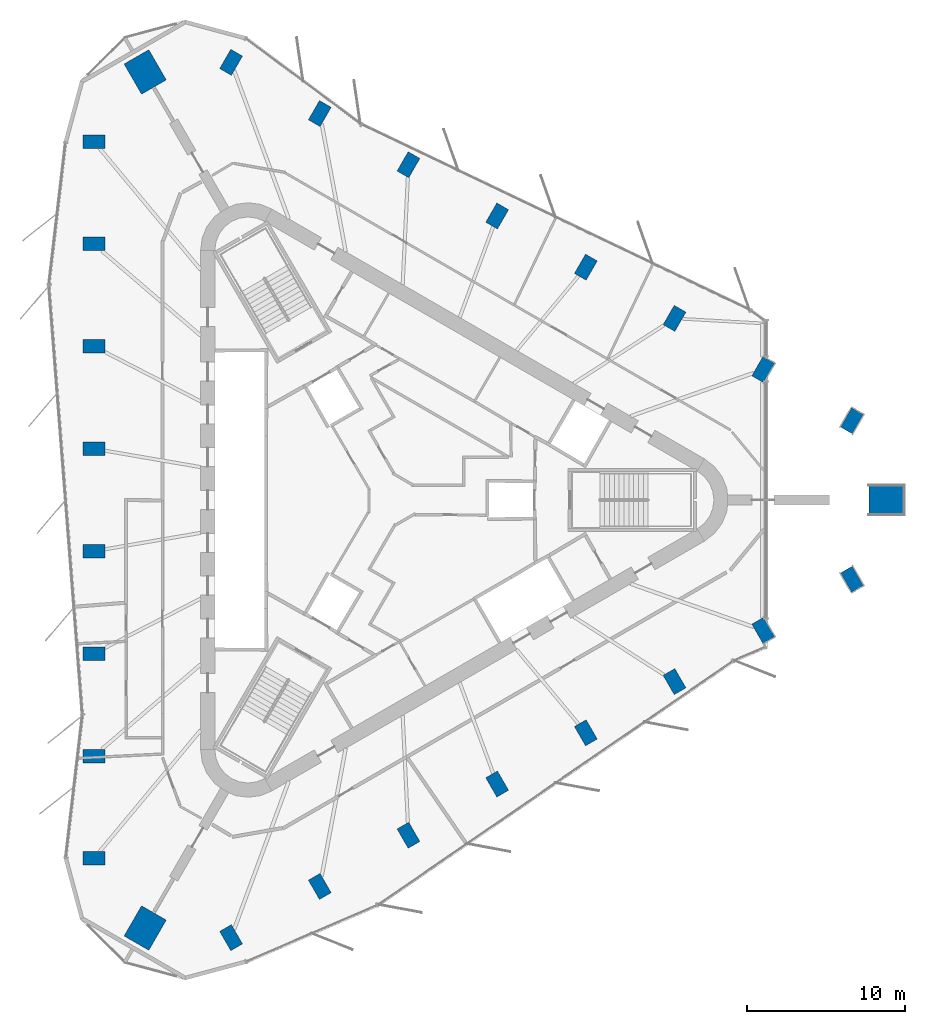
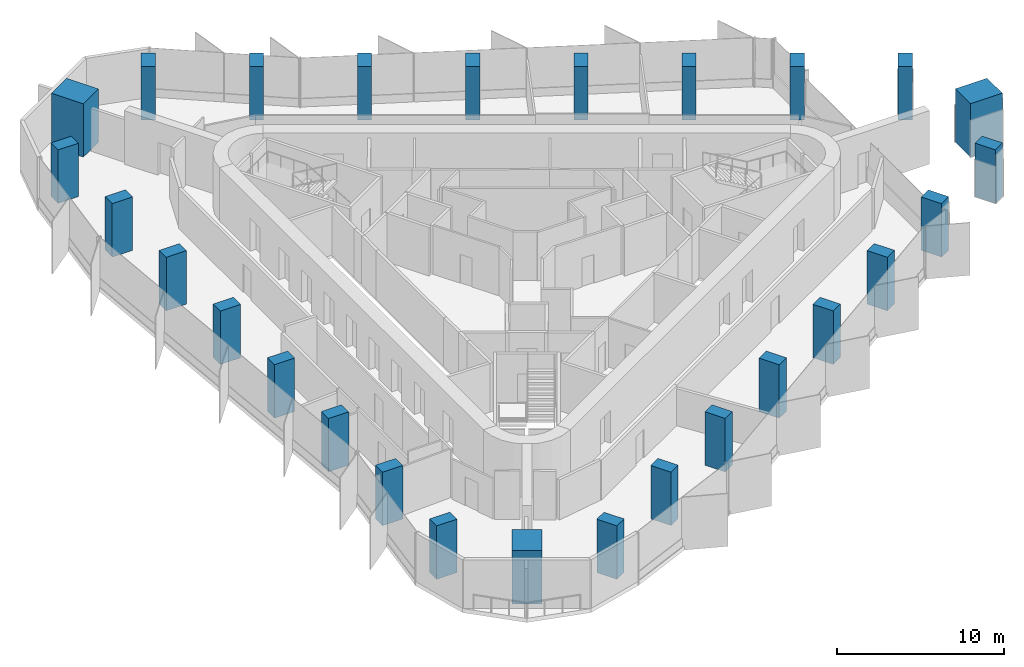
# One storey, part 1 of 12: 27 columns.
"""IFC4 building model written with IfcOpenShell, lengths in metres."""

from ifc_helpers import new_model, si_unit, direction, frame, origin, origin_2d, place, context, subcontext, project, spatial, rectangle, extrude, material, material_profile, profile_set, type_object, element, save


model = new_model("IFC4")

# Units and contexts
model_context = context("Model", 3, precision=1e-05, world=origin(), true_north=direction((0.0, 1.0)))
body_context = subcontext(model_context, "Body", "Model", "MODEL_VIEW")
ifc_project = project(units=[si_unit("LENGTHUNIT", "METRE"), si_unit("AREAUNIT", "SQUARE_METRE"), si_unit("VOLUMEUNIT", "CUBIC_METRE"), si_unit("PLANEANGLEUNIT", "RADIAN"), si_unit("MASSUNIT", "GRAM", prefix="KILO")], contexts=[model_context])

# Site, building, storey
site_placement = place(None, origin())
site = spatial("IfcSite", under=ifc_project, at=site_placement, CompositionType="ELEMENT")
building_placement = place(site_placement, origin())
building = spatial("IfcBuilding", under=site, at=building_placement, Name="Tanit Gate Tower", CompositionType="ELEMENT")
storey_placement = place(building_placement, frame((0.0, 0.0, 388.39990234375)))
storey = spatial("IfcBuildingStorey", under=building, at=storey_placement, Name="L89", CompositionType="ELEMENT", Elevation=388.39990234375)

# Columns
ifc_material_1 = material(Name="Concrete C50/60", Category="concrete")
ifc_material_profile_1 = material_profile(ifc_material_1, rectangle(XDim=2.199951171875, YDim=1.800048828125, at=origin_2d()), Name="RC 2200x1800")
ifc_profile_set_1 = profile_set([ifc_material_profile_1], Name="Concrete C50/60")
column_type_1 = type_object("IfcColumnType", Name="MEGA COLUMN 2200x1800 C50/60", PredefinedType="COLUMN", material=ifc_profile_set_1)
for number, where, z_axis, x_axis, name in (
    (1, (31.19580078125, 0.0, 0.0), (0.0, 0.0, 1.0), (1.0, 0.0, 0.0), "MEGA COLUMN"),
    (2, (-15.597900390625, 27.016357421875, 0.0), (0.0, 0.0, 1.0), (-0.5, 0.866025403784, 0.0), "MEGA COLUMN"),
    (3, (-15.597900390625, -27.016357421875, 0.0), (0.0, 0.0, 1.0), (-0.5, -0.866025403784, 0.0), "MEGA COLUMN"),
):
    element("IfcColumn", number, at=place(storey_placement, frame(where, z_axis=z_axis, x_axis=x_axis)), inside=storey, type_object=column_type_1, Name=name, PredefinedType="COLUMN", context=body_context, shape_type="SweptSolid", body=[
        extrude(rectangle(XDim=2.199951171875, YDim=1.800048828125, at=origin_2d()), origin(), (0.0, 0.0, 1.0), 3.900146484375),
    ])
ifc_material_2 = material(Name="Concrete C40/50", Category="concrete")
ifc_material_profile_2 = material_profile(ifc_material_2, rectangle(XDim=1.39990234375, YDim=0.85009765625, at=origin_2d()), Name="RC 1400x850")
ifc_profile_set_2 = profile_set([ifc_material_profile_2], Name="Concrete C40/50")
column_type_2 = type_object("IfcColumnType", Name="PERIMETER COLUMN 1400x850 C40/50", PredefinedType="COLUMN", material=ifc_profile_set_2)
for number, where, z_axis, x_axis, name in (
    (4, (-18.833984375, 22.62353515625, 0.0), (0.0, 0.0, 1.0), (-1.0, 0.0, 0.0), "PERIMETER COLUMN"),
    (5, (-18.833984375, 16.15966796875, 0.0), (0.0, 0.0, 1.0), (-1.0, 0.0, 0.0), "PERIMETER COLUMN"),
    (6, (-18.833984375, 9.69580078125, 0.0), (0.0, 0.0, 1.0), (-1.0, 0.0, 0.0), "PERIMETER COLUMN"),
    (7, (-18.833984375, 3.23193359375, 0.0), (0.0, 0.0, 1.0), (-1.0, 0.0, 0.0), "PERIMETER COLUMN"),
    (8, (-18.833984375, -3.23193359375, 0.0), (0.0, 0.0, 1.0), (-1.0, 0.0, 0.0), "PERIMETER COLUMN"),
    (9, (-18.833984375, -9.69580078125, 0.0), (0.0, 0.0, 1.0), (-1.0, 0.0, 0.0), "PERIMETER COLUMN"),
    (10, (-18.833984375, -16.15966796875, 0.0), (0.0, 0.0, 1.0), (-1.0, 0.0, 0.0), "PERIMETER COLUMN"),
    (11, (-18.833984375, -22.62353515625, 0.0), (0.0, 0.0, 1.0), (-1.0, 0.0, 0.0), "PERIMETER COLUMN"),
    (12, (29.009521484375, 4.998779296875, 0.0), (0.0, 0.0, 1.0), (0.5, 0.866025403784, 0.0), "PERIMETER COLUMN"),
    (13, (23.41162109375, 8.230712890625, 0.0), (0.0, 0.0, 1.0), (0.5, 0.866025403784, 0.0), "PERIMETER COLUMN"),
    (14, (17.813720703125, 11.462890625, 0.0), (0.0, 0.0, 1.0), (0.5, 0.866025403784, 0.0), "PERIMETER COLUMN"),
    (15, (12.2158203125, 14.694580078125, 0.0), (0.0, 0.0, 1.0), (0.5, 0.866025403784, 0.0), "PERIMETER COLUMN"),
    (16, (6.617919921875, 17.9267578125, 0.0), (0.0, 0.0, 1.0), (0.5, 0.866025403784, 0.0), "PERIMETER COLUMN"),
    (17, (1.02001953125, 21.15869140625, 0.0), (0.0, 0.0, 1.0), (0.5, 0.866025403784, 0.0), "PERIMETER COLUMN"),
    (18, (-4.577880859375, 24.390625, 0.0), (0.0, 0.0, 1.0), (0.5, 0.866025403784, 0.0), "PERIMETER COLUMN"),
    (19, (-10.17578125, 27.62255859375, 0.0), (0.0, 0.0, 1.0), (0.5, 0.866025403784, 0.0), "PERIMETER COLUMN"),
    (20, (-10.17578125, -27.62255859375, 0.0), (0.0, 0.0, 1.0), (0.5, -0.866025403784, 0.0), "PERIMETER COLUMN"),
    (21, (-4.577880859375, -24.390625, 0.0), (0.0, 0.0, 1.0), (0.5, -0.866025403784, 0.0), "PERIMETER COLUMN"),
    (22, (1.02001953125, -21.15869140625, 0.0), (0.0, 0.0, 1.0), (0.5, -0.866025403784, 0.0), "PERIMETER COLUMN"),
    (23, (6.617919921875, -17.9267578125, 0.0), (0.0, 0.0, 1.0), (0.5, -0.866025403784, 0.0), "PERIMETER COLUMN"),
    (24, (12.2158203125, -14.694580078125, 0.0), (0.0, 0.0, 1.0), (0.5, -0.866025403784, 0.0), "PERIMETER COLUMN"),
    (25, (17.813720703125, -11.462890625, 0.0), (0.0, 0.0, 1.0), (0.5, -0.866025403784, 0.0), "PERIMETER COLUMN"),
    (26, (23.41162109375, -8.230712890625, 0.0), (0.0, 0.0, 1.0), (0.5, -0.866025403784, 0.0), "PERIMETER COLUMN"),
    (27, (29.009521484375, -4.998779296875, 0.0), (0.0, 0.0, 1.0), (0.5, -0.866025403784, 0.0), "PERIMETER COLUMN"),
):
    element("IfcColumn", number, at=place(storey_placement, frame(where, z_axis=z_axis, x_axis=x_axis)), inside=storey, type_object=column_type_2, Name=name, PredefinedType="COLUMN", context=body_context, shape_type="SweptSolid", body=[
        extrude(rectangle(XDim=1.39990234375, YDim=0.85009765625, at=origin_2d()), origin(), (0.0, 0.0, 1.0), 3.900146484375),
    ])

save(model, "model.ifc")
